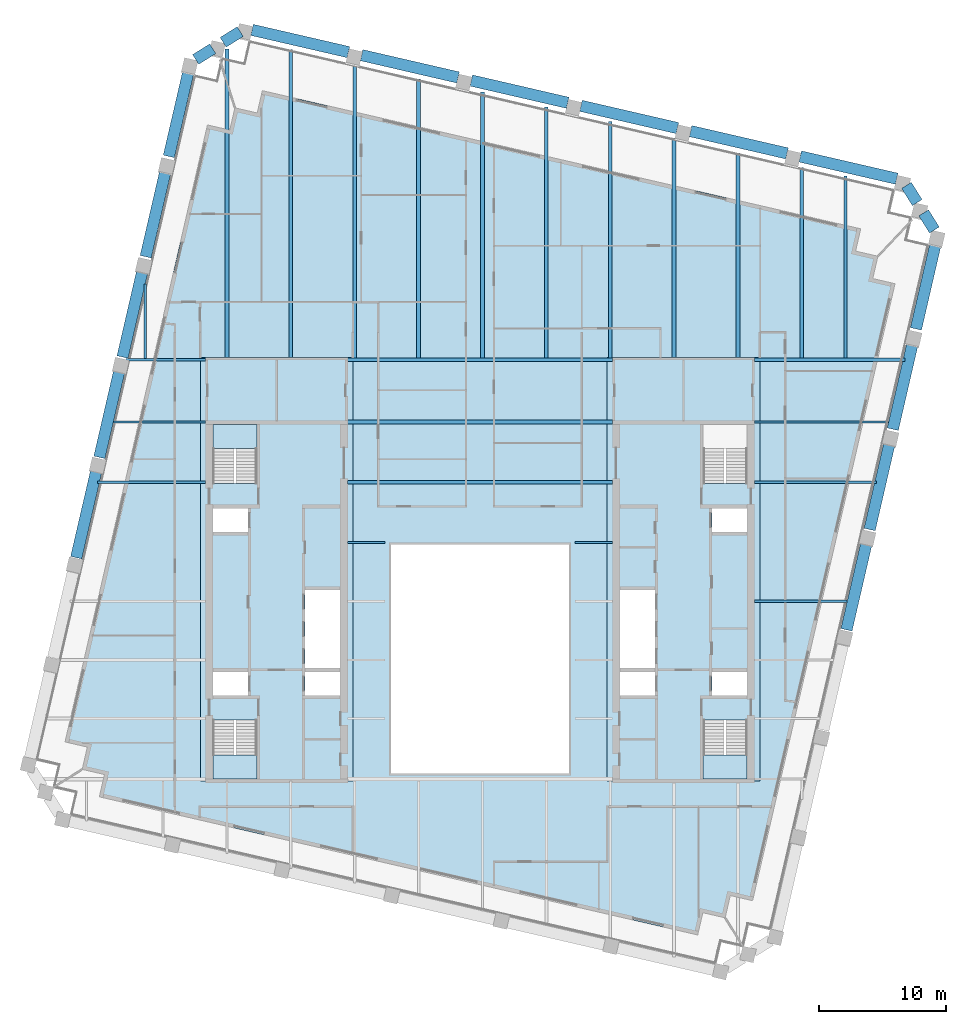
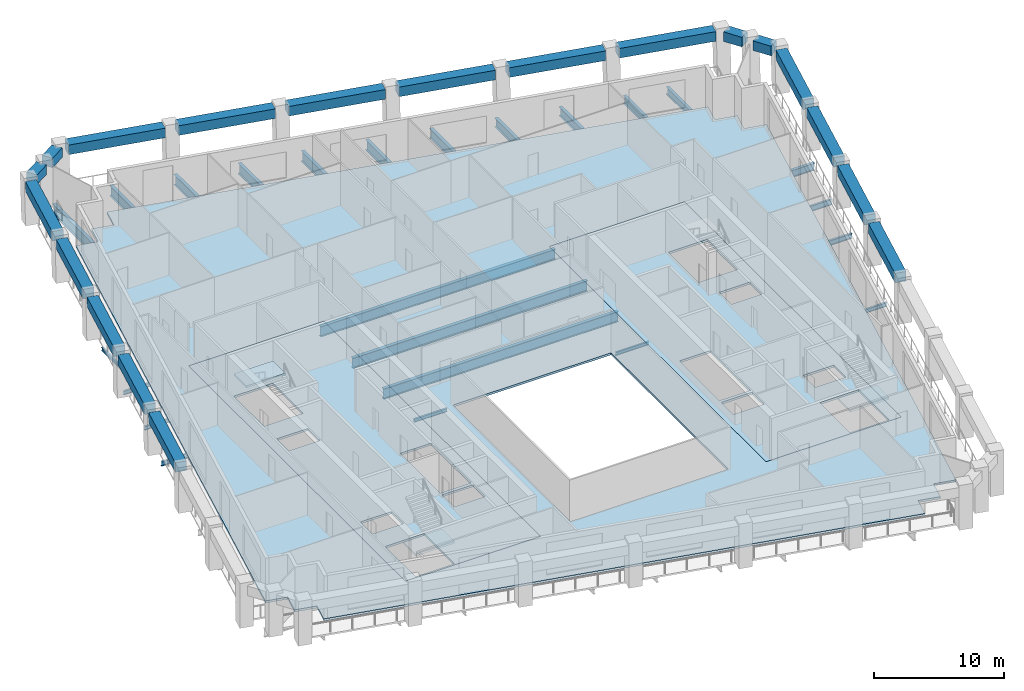
# One storey, part 2 of 10: 43 beams, 6 slabs, 3 elements without a shape of their own.
"""IFC4 building model written with IfcOpenShell, lengths in metres."""

from ifc_helpers import new_model, si_unit, direction, frame, origin, origin_2d, place, context, subcontext, project, spatial, polyline, rectangle, i_section, outline, extrude, material, layer, layer_set, material_profile, profile_set, type_object, element, aggregate, save


model = new_model("IFC4")

# Units and contexts
model_context = context("Model", 3, precision=1e-05, world=origin(), true_north=direction((0.0, 1.0)))
body_context = subcontext(model_context, "Body", "Model", "MODEL_VIEW")
ifc_project = project(units=[si_unit("LENGTHUNIT", "METRE"), si_unit("AREAUNIT", "SQUARE_METRE"), si_unit("VOLUMEUNIT", "CUBIC_METRE"), si_unit("PLANEANGLEUNIT", "RADIAN"), si_unit("MASSUNIT", "GRAM", prefix="KILO")], contexts=[model_context])

# Site, building, storey
site_placement = place(None, origin())
site = spatial("IfcSite", under=ifc_project, at=site_placement, CompositionType="ELEMENT")
building_placement = place(site_placement, origin())
building = spatial("IfcBuilding", under=site, at=building_placement, Name="Ogive Exchange Tower", CompositionType="ELEMENT")
storey_placement = place(building_placement, frame((0.0, 0.0, 255.60009765625)))
storey = spatial("IfcBuildingStorey", under=building, at=storey_placement, Name="L55", CompositionType="ELEMENT", Elevation=255.60009765625)

# Beams
ifc_material_1 = material(Name="Steel ASTM A992 Gr50", Category="steel")
ifc_material_profile_1 = material_profile(ifc_material_1, i_section(OverallWidth=0.300048828125, OverallDepth=0.969970703125, WebThickness=0.01611328125, FlangeThickness=0.02099609375, at=origin_2d()), Name="W1000x222")
ifc_profile_set_1 = profile_set([ifc_material_profile_1], Name="Steel ASTM A992 Gr50")
beam_type_1 = type_object("IfcBeamType", Name="Floor beam W1000x222", PredefinedType="JOIST", material=ifc_profile_set_1)
beam_1_placement = place(storey_placement, frame((5.21435546875, 30.695068359375, -0.68505859375), z_axis=(0.0, 1.0, 0.0), x_axis=(-1.0, 0.0, 0.0)))
element("IfcBeam", 1, at=beam_1_placement, inside=storey, type_object=beam_type_1, Name="Floor beam", PredefinedType="JOIST", context=body_context, shape_type="SweptSolid", body=[
    extrude(i_section(OverallWidth=0.300048828125, OverallDepth=0.969970703125, WebThickness=0.01611328125, FlangeThickness=0.02099609375, at=origin_2d()), origin(), (0.0, 0.0, 1.0), 19.737548828125),
])
ifc_material_profile_2 = material_profile(ifc_material_1, i_section(OverallWidth=0.300048828125, OverallDepth=0.97998046875, WebThickness=0.0166015625, FlangeThickness=0.026123046875, at=origin_2d()), Name="W1000x249")
ifc_profile_set_2 = profile_set([ifc_material_profile_2], Name="Steel ASTM A992 Gr50")
beam_type_2 = type_object("IfcBeamType", Name="Floor beam W1000x249", PredefinedType="JOIST", material=ifc_profile_set_2)
for number, where, z_axis, x_axis, name in (
    (2, (-10.419921875, 20.89990234375, -0.690185546875), (1.0, 0.0, 0.0), (0.0, 1.0, 0.0), "Floor beam"),
    (3, (-10.419921875, 25.64501953125, -0.690185546875), (1.0, 0.0, 0.0), (0.0, 1.0, 0.0), "Floor beam"),
):
    element("IfcBeam", number, at=place(storey_placement, frame(where, z_axis=z_axis, x_axis=x_axis)), inside=storey, type_object=beam_type_2, Name=name, PredefinedType="JOIST", context=body_context, shape_type="SweptSolid", body=[
        extrude(i_section(OverallWidth=0.300048828125, OverallDepth=0.97998046875, WebThickness=0.0166015625, FlangeThickness=0.026123046875, at=origin_2d()), origin(), (0.0, 0.0, 1.0), 20.83984375),
    ])
beam_2_placement = place(storey_placement, frame((-19.90625, 30.699951171875, -0.690185546875), z_axis=(0.0, 1.0, 0.0), x_axis=(-1.0, 0.0, 0.0)))
element("IfcBeam", 4, at=beam_2_placement, inside=storey, type_object=beam_type_2, Name="Floor beam", PredefinedType="JOIST", context=body_context, shape_type="SweptSolid", body=[
    extrude(i_section(OverallWidth=0.300048828125, OverallDepth=0.97998046875, WebThickness=0.0166015625, FlangeThickness=0.026123046875, at=origin_2d()), origin(), (0.0, 0.0, 1.0), 24.29248046875),
])
beam_3_placement = place(storey_placement, frame((-14.882080078125, 30.699951171875, -0.690185546875), z_axis=(0.0, 1.0, 0.0), x_axis=(-1.0, 0.0, 0.0)))
element("IfcBeam", 5, at=beam_3_placement, inside=storey, type_object=beam_type_2, Name="Floor beam", PredefinedType="JOIST", context=body_context, shape_type="SweptSolid", body=[
    extrude(i_section(OverallWidth=0.300048828125, OverallDepth=0.97998046875, WebThickness=0.0166015625, FlangeThickness=0.026123046875, at=origin_2d()), origin(), (0.0, 0.0, 1.0), 24.22216796875),
])
beam_4_placement = place(storey_placement, frame((-9.858154296875, 30.695068359375, -0.690185546875), z_axis=(0.0, 1.0, 0.0), x_axis=(-1.0, 0.0, 0.0)))
element("IfcBeam", 6, at=beam_4_placement, inside=storey, type_object=beam_type_2, Name="Floor beam", PredefinedType="JOIST", context=body_context, shape_type="SweptSolid", body=[
    extrude(i_section(OverallWidth=0.300048828125, OverallDepth=0.97998046875, WebThickness=0.0166015625, FlangeThickness=0.026123046875, at=origin_2d()), origin(), (0.0, 0.0, 1.0), 23.067138671875),
])
beam_5_placement = place(storey_placement, frame((-4.833984375, 30.695068359375, -0.690185546875), z_axis=(0.0, 1.0, 0.0), x_axis=(-1.0, 0.0, 0.0)))
element("IfcBeam", 7, at=beam_5_placement, inside=storey, type_object=beam_type_2, Name="Floor beam", PredefinedType="JOIST", context=body_context, shape_type="SweptSolid", body=[
    extrude(i_section(OverallWidth=0.300048828125, OverallDepth=0.97998046875, WebThickness=0.0166015625, FlangeThickness=0.026123046875, at=origin_2d()), origin(), (0.0, 0.0, 1.0), 21.9072265625),
])
beam_6_placement = place(storey_placement, frame((0.190185546875, 30.695068359375, -0.690185546875), z_axis=(0.0, 1.0, 0.0), x_axis=(-1.0, 0.0, 0.0)))
element("IfcBeam", 8, at=beam_6_placement, inside=storey, type_object=beam_type_2, Name="Floor beam", PredefinedType="JOIST", context=body_context, shape_type="SweptSolid", body=[
    extrude(i_section(OverallWidth=0.300048828125, OverallDepth=0.97998046875, WebThickness=0.0166015625, FlangeThickness=0.026123046875, at=origin_2d()), origin(), (0.0, 0.0, 1.0), 20.897216796875),
])
ifc_material_profile_3 = material_profile(ifc_material_1, i_section(OverallWidth=0.1650390625, OverallDepth=0.31005859375, WebThickness=0.005859375, FlangeThickness=0.009765625, at=origin_2d()), Name="W310x38.7")
ifc_profile_set_3 = profile_set([ifc_material_profile_3], Name="Steel ASTM A992 Gr50")
beam_type_3 = type_object("IfcBeamType", Name="Floor beam W310x38.7", PredefinedType="JOIST", material=ifc_profile_set_3)
beam_7_placement = place(storey_placement, frame((-26.33056640625, 30.630615234375, -0.35498046875), z_axis=(0.0, 1.0, 0.0), x_axis=(-1.0, 0.0, 0.0)))
element("IfcBeam", 9, at=beam_7_placement, inside=storey, type_object=beam_type_3, Name="Floor beam", PredefinedType="JOIST", context=body_context, shape_type="SweptSolid", body=[
    extrude(i_section(OverallWidth=0.1650390625, OverallDepth=0.31005859375, WebThickness=0.005859375, FlangeThickness=0.009765625, at=origin_2d()), origin(), (0.0, 0.0, 1.0), 5.84814453125),
])
ifc_material_profile_4 = material_profile(ifc_material_1, i_section(OverallWidth=0.1708984375, OverallDepth=0.35595703125, WebThickness=0.00732421875, FlangeThickness=0.01171875, at=origin_2d()), Name="W360x51")
ifc_profile_set_4 = profile_set([ifc_material_profile_4], Name="Steel ASTM A992 Gr50")
beam_type_4 = type_object("IfcBeamType", Name="Floor beam W360x51", PredefinedType="JOIST", material=ifc_profile_set_4)
beam_8_placement = place(storey_placement, frame((21.580078125, 11.543701171875, -0.378173828125), z_axis=(1.0, 0.0, 0.0), x_axis=(0.0, 1.0, 0.0)))
element("IfcBeam", 10, at=beam_8_placement, inside=storey, type_object=beam_type_4, Name="Floor beam", PredefinedType="JOIST", context=body_context, shape_type="SweptSolid", body=[
    extrude(i_section(OverallWidth=0.1708984375, OverallDepth=0.35595703125, WebThickness=0.00732421875, FlangeThickness=0.01171875, at=origin_2d()), origin(), (0.0, 0.0, 1.0), 7.295166015625),
])
beam_9_placement = place(storey_placement, frame((-28.831787109375, 25.64501953125, -0.378173828125), z_axis=(1.0, 0.0, 0.0), x_axis=(0.0, 1.0, 0.0)))
element("IfcBeam", 11, at=beam_9_placement, inside=storey, type_object=beam_type_4, Name="Floor beam", PredefinedType="JOIST", context=body_context, shape_type="SweptSolid", body=[
    extrude(i_section(OverallWidth=0.1708984375, OverallDepth=0.35595703125, WebThickness=0.00732421875, FlangeThickness=0.01171875, at=origin_2d()), origin(), (0.0, 0.0, 1.0), 7.251708984375),
])
ifc_material_profile_5 = material_profile(ifc_material_1, i_section(OverallWidth=0.177978515625, OverallDepth=0.406005859375, WebThickness=0.0078125, FlangeThickness=0.0126953125, at=origin_2d()), Name="W410x60")
ifc_profile_set_5 = profile_set([ifc_material_profile_5], Name="Steel ASTM A992 Gr50")
beam_type_5 = type_object("IfcBeamType", Name="Floor beam W410x60", PredefinedType="JOIST", material=ifc_profile_set_5)
beam_10_placement = place(storey_placement, frame((-30.0771484375, 20.89990234375, -0.403076171875), z_axis=(1.0, 0.0, 0.0), x_axis=(0.0, 1.0, 0.0)))
element("IfcBeam", 12, at=beam_10_placement, inside=storey, type_object=beam_type_5, Name="Floor beam", PredefinedType="JOIST", context=body_context, shape_type="SweptSolid", body=[
    extrude(i_section(OverallWidth=0.177978515625, OverallDepth=0.406005859375, WebThickness=0.0078125, FlangeThickness=0.0126953125, at=origin_2d()), origin(), (0.0, 0.0, 1.0), 8.4970703125),
])
ifc_material_profile_6 = material_profile(ifc_material_1, i_section(OverallWidth=0.19189453125, OverallDepth=0.4619140625, WebThickness=0.010498046875, FlangeThickness=0.017578125, at=origin_2d()), Name="W460x89")
ifc_profile_set_6 = profile_set([ifc_material_profile_6], Name="Steel ASTM A992 Gr50")
beam_type_6 = type_object("IfcBeamType", Name="Floor beam W460x89", PredefinedType="JOIST", material=ifc_profile_set_6)
beam_11_placement = place(storey_placement, frame((21.580078125, 20.89990234375, -0.43115234375), z_axis=(1.0, 0.0, 0.0), x_axis=(0.0, 1.0, 0.0)))
element("IfcBeam", 13, at=beam_11_placement, inside=storey, type_object=beam_type_6, Name="Floor beam", PredefinedType="JOIST", context=body_context, shape_type="SweptSolid", body=[
    extrude(i_section(OverallWidth=0.19189453125, OverallDepth=0.4619140625, WebThickness=0.010498046875, FlangeThickness=0.017578125, at=origin_2d()), origin(), (0.0, 0.0, 1.0), 9.605224609375),
])
ifc_material_profile_7 = material_profile(ifc_material_1, i_section(OverallWidth=0.1669921875, OverallDepth=0.535888671875, WebThickness=0.01025390625, FlangeThickness=0.0166015625, at=origin_2d()), Name="W530x85")
ifc_profile_set_7 = profile_set([ifc_material_profile_7], Name="Steel ASTM A992 Gr50")
beam_type_7 = type_object("IfcBeamType", Name="Floor beam W530x85", PredefinedType="JOIST", material=ifc_profile_set_7)
beam_12_placement = place(storey_placement, frame((21.580078125, 25.64501953125, -0.468017578125), z_axis=(1.0, 0.0, 0.0), x_axis=(0.0, 1.0, 0.0)))
element("IfcBeam", 14, at=beam_12_placement, inside=storey, type_object=beam_type_7, Name="Floor beam", PredefinedType="JOIST", context=body_context, shape_type="SweptSolid", body=[
    extrude(i_section(OverallWidth=0.1669921875, OverallDepth=0.535888671875, WebThickness=0.01025390625, FlangeThickness=0.0166015625, at=origin_2d()), origin(), (0.0, 0.0, 1.0), 10.55078125),
])
ifc_material_profile_8 = material_profile(ifc_material_1, i_section(OverallWidth=0.25390625, OverallDepth=0.68310546875, WebThickness=0.012451171875, FlangeThickness=0.018798828125, at=origin_2d()), Name="W690x140")
ifc_profile_set_8 = profile_set([ifc_material_profile_8], Name="Steel ASTM A992 Gr50")
beam_type_8 = type_object("IfcBeamType", Name="Floor beam W690x140", PredefinedType="JOIST", material=ifc_profile_set_8)
beam_13_placement = place(storey_placement, frame((28.735107421875, 30.672119140625, -0.54150390625), z_axis=(0.0, 1.0, 0.0), x_axis=(-1.0, 0.0, 0.0)))
element("IfcBeam", 15, at=beam_13_placement, inside=storey, type_object=beam_type_8, Name="Floor beam", PredefinedType="JOIST", context=body_context, shape_type="SweptSolid", body=[
    extrude(i_section(OverallWidth=0.25390625, OverallDepth=0.68310546875, WebThickness=0.012451171875, FlangeThickness=0.018798828125, at=origin_2d()), origin(), (0.0, 0.0, 1.0), 14.330078125),
])
ifc_material_profile_9 = material_profile(ifc_material_1, i_section(OverallWidth=0.26708984375, OverallDepth=0.75390625, WebThickness=0.01318359375, FlangeThickness=0.01708984375, at=origin_2d()), Name="W760x147")
ifc_profile_set_9 = profile_set([ifc_material_profile_9], Name="Steel ASTM A992 Gr50")
beam_type_9 = type_object("IfcBeamType", Name="Floor beam W760x147", PredefinedType="JOIST", material=ifc_profile_set_9)
beam_14_placement = place(storey_placement, frame((25.310791015625, 30.672119140625, -0.5771484375), z_axis=(0.0, 1.0, 0.0), x_axis=(-1.0, 0.0, 0.0)))
element("IfcBeam", 16, at=beam_14_placement, inside=storey, type_object=beam_type_9, Name="Floor beam", PredefinedType="JOIST", context=body_context, shape_type="SweptSolid", body=[
    extrude(i_section(OverallWidth=0.26708984375, OverallDepth=0.75390625, WebThickness=0.01318359375, FlangeThickness=0.01708984375, at=origin_2d()), origin(), (0.0, 0.0, 1.0), 14.970703125),
])
ifc_material_profile_10 = material_profile(ifc_material_1, i_section(OverallWidth=0.2919921875, OverallDepth=0.8359375, WebThickness=0.013916015625, FlangeThickness=0.018798828125, at=origin_2d()), Name="W840x176")
ifc_profile_set_10 = profile_set([ifc_material_profile_10], Name="Steel ASTM A992 Gr50")
beam_type_10 = type_object("IfcBeamType", Name="Floor beam W840x176", PredefinedType="JOIST", material=ifc_profile_set_10)
beam_15_placement = place(storey_placement, frame((15.2626953125, 30.699951171875, -0.6181640625), z_axis=(0.0, 1.0, 0.0), x_axis=(-1.0, 0.0, 0.0)))
element("IfcBeam", 17, at=beam_15_placement, inside=storey, type_object=beam_type_10, Name="Floor beam", PredefinedType="JOIST", context=body_context, shape_type="SweptSolid", body=[
    extrude(i_section(OverallWidth=0.2919921875, OverallDepth=0.8359375, WebThickness=0.013916015625, FlangeThickness=0.018798828125, at=origin_2d()), origin(), (0.0, 0.0, 1.0), 17.2626953125),
])
beam_16_placement = place(storey_placement, frame((20.28662109375, 30.699951171875, -0.6181640625), z_axis=(0.0, 1.0, 0.0), x_axis=(-1.0, 0.0, 0.0)))
element("IfcBeam", 18, at=beam_16_placement, inside=storey, type_object=beam_type_10, Name="Floor beam", PredefinedType="JOIST", context=body_context, shape_type="SweptSolid", body=[
    extrude(i_section(OverallWidth=0.2919921875, OverallDepth=0.8359375, WebThickness=0.013916015625, FlangeThickness=0.018798828125, at=origin_2d()), origin(), (0.0, 0.0, 1.0), 16.102783203125),
])
ifc_material_profile_11 = material_profile(ifc_material_1, i_section(OverallWidth=0.304931640625, OverallDepth=0.904052734375, WebThickness=0.01513671875, FlangeThickness=0.02001953125, at=origin_2d()), Name="W920x201")
ifc_profile_set_11 = profile_set([ifc_material_profile_11], Name="Steel ASTM A992 Gr50")
beam_type_11 = type_object("IfcBeamType", Name="Floor beam W920x201", PredefinedType="JOIST", material=ifc_profile_set_11)
beam_17_placement = place(storey_placement, frame((10.23828125, 30.695068359375, -0.652099609375), z_axis=(0.0, 1.0, 0.0), x_axis=(-1.0, 0.0, 0.0)))
element("IfcBeam", 19, at=beam_17_placement, inside=storey, type_object=beam_type_11, Name="Floor beam", PredefinedType="JOIST", context=body_context, shape_type="SweptSolid", body=[
    extrude(i_section(OverallWidth=0.304931640625, OverallDepth=0.904052734375, WebThickness=0.01513671875, FlangeThickness=0.02001953125, at=origin_2d()), origin(), (0.0, 0.0, 1.0), 18.57763671875),
])
ifc_material_profile_12 = material_profile(ifc_material_1, i_section(OverallWidth=0.300048828125, OverallDepth=0.97998046875, WebThickness=0.0166015625, FlangeThickness=0.026123046875, at=origin_2d()), Name="W1000x249")
ifc_profile_set_12 = profile_set([ifc_material_profile_12], Name="Steel ASTM A992 Gr50")
beam_type_12 = type_object("IfcBeamType", Name="Girder W1000x249", PredefinedType="BEAM", material=ifc_profile_set_12)
beam_18_placement = place(storey_placement, frame((-10.419921875, 30.544921875, -0.690185546875), z_axis=(1.0, 0.0, 0.0), x_axis=(0.0, 1.0, 0.0)))
element("IfcBeam", 20, at=beam_18_placement, inside=storey, type_object=beam_type_12, Name="Header girder", PredefinedType="BEAM", context=body_context, shape_type="SweptSolid", body=[
    extrude(i_section(OverallWidth=0.300048828125, OverallDepth=0.97998046875, WebThickness=0.0166015625, FlangeThickness=0.026123046875, at=origin_2d()), origin(), (0.0, 0.0, 1.0), 20.83984375),
])
ifc_material_profile_13 = material_profile(ifc_material_1, i_section(OverallWidth=0.1650390625, OverallDepth=0.31005859375, WebThickness=0.005859375, FlangeThickness=0.009765625, at=origin_2d()), Name="W310x38.7")
ifc_profile_set_13 = profile_set([ifc_material_profile_13], Name="Steel ASTM A992 Gr50")
beam_type_13 = type_object("IfcBeamType", Name="Girder W310x38.7", PredefinedType="BEAM", material=ifc_profile_set_13)
for number, where, z_axis, x_axis, name in (
    (21, (-10.419921875, 16.155029296875, -0.35498046875), (1.0, 0.0, 0.0), (0.0, 1.0, 0.0), "Trimmer girder"),
    (22, (7.469970703125, 16.155029296875, -0.35498046875), (1.0, 0.0, 0.0), (0.0, 1.0, 0.0), "Trimmer girder"),
):
    element("IfcBeam", number, at=place(storey_placement, frame(where, z_axis=z_axis, x_axis=x_axis)), inside=storey, type_object=beam_type_13, Name=name, PredefinedType="BEAM", context=body_context, shape_type="SweptSolid", body=[
        extrude(i_section(OverallWidth=0.1650390625, OverallDepth=0.31005859375, WebThickness=0.005859375, FlangeThickness=0.009765625, at=origin_2d()), origin(), (0.0, 0.0, 1.0), 2.949951171875),
    ])
ifc_material_profile_14 = material_profile(ifc_material_1, i_section(OverallWidth=0.1708984375, OverallDepth=0.35595703125, WebThickness=0.00732421875, FlangeThickness=0.01171875, at=origin_2d()), Name="W360x51")
ifc_profile_set_14 = profile_set([ifc_material_profile_14], Name="Steel ASTM A992 Gr50")
beam_type_14 = type_object("IfcBeamType", Name="Girder W360x51", PredefinedType="BEAM", material=ifc_profile_set_14)
beam_19_placement = place(storey_placement, frame((-27.850341796875, 30.544921875, -0.378173828125), z_axis=(1.0, 0.0, 0.0), x_axis=(0.0, 1.0, 0.0)))
element("IfcBeam", 23, at=beam_19_placement, inside=storey, type_object=beam_type_14, Name="Header girder", PredefinedType="BEAM", context=body_context, shape_type="SweptSolid", body=[
    extrude(i_section(OverallWidth=0.1708984375, OverallDepth=0.35595703125, WebThickness=0.00732421875, FlangeThickness=0.01171875, at=origin_2d()), origin(), (0.0, 0.0, 1.0), 6.270263671875),
])
ifc_material_profile_15 = material_profile(ifc_material_1, i_section(OverallWidth=0.25390625, OverallDepth=0.677978515625, WebThickness=0.01171875, FlangeThickness=0.016357421875, at=origin_2d()), Name="W690x125")
ifc_profile_set_15 = profile_set([ifc_material_profile_15], Name="Steel ASTM A992 Gr50")
beam_type_15 = type_object("IfcBeamType", Name="Girder W690x125", PredefinedType="BEAM", material=ifc_profile_set_15)
beam_20_placement = place(storey_placement, frame((21.580078125, 30.544921875, -0.5390625), z_axis=(1.0, 0.0, 0.0), x_axis=(0.0, 1.0, 0.0)))
element("IfcBeam", 24, at=beam_20_placement, inside=storey, type_object=beam_type_15, Name="Header girder", PredefinedType="BEAM", context=body_context, shape_type="SweptSolid", body=[
    extrude(i_section(OverallWidth=0.25390625, OverallDepth=0.677978515625, WebThickness=0.01171875, FlangeThickness=0.016357421875, at=origin_2d()), origin(), (0.0, 0.0, 1.0), 11.83203125),
])
ifc_material_2 = material(Name="Precast concrete C70/85 (limestone faced)", Category="masonry")
ifc_material_profile_16 = material_profile(ifc_material_2, rectangle(XDim=0.89990234375, YDim=0.89990234375, at=origin_2d()), Name="900 x 900")
ifc_profile_set_16 = profile_set([ifc_material_profile_16], Name="Precast concrete C70/85 (limestone faced)")
beam_type_16 = type_object("IfcBeamType", Name="Precast spandrel 900 x 900 C70/85", PredefinedType="SPANDREL", material=ifc_profile_set_16)
beam_21_placement = place(storey_placement, frame((28.819091796875, 9.299560546875, 3.5), z_axis=(0.224943130461, 0.974371894124, 0.0), x_axis=(-0.974371894124, 0.224943130461, 0.0)))
element("IfcBeam", 25, at=beam_21_placement, inside=storey, type_object=beam_type_16, Name="Spandrel 12", PredefinedType="SPANDREL", context=body_context, shape_type="SweptSolid", body=[
    extrude(rectangle(XDim=0.89990234375, YDim=0.89990234375, at=origin_2d()), origin(), (0.0, 0.0, 1.0), 7.036376953125),
])
for number, where, z_axis, x_axis, name in (
    (26, (30.64013671875, 17.188232421875, 3.5), (0.224950735623, 0.974370138368, 0.0), (-0.974370138368, 0.224950735623, 0.0), "Spandrel 13"),
    (27, (32.46142578125, 25.076904296875, 3.5), (0.224950735623, 0.974370138368, 0.0), (-0.974370138368, 0.224950735623, 0.0), "Spandrel 14"),
):
    element("IfcBeam", number, at=place(storey_placement, frame(where, z_axis=z_axis, x_axis=x_axis)), inside=storey, type_object=beam_type_16, Name=name, PredefinedType="SPANDREL", context=body_context, shape_type="SweptSolid", body=[
        extrude(rectangle(XDim=0.89990234375, YDim=0.89990234375, at=origin_2d()), origin(), (0.0, 0.0, 1.0), 7.0361328125),
    ])
beam_22_placement = place(storey_placement, frame((34.28271484375, 32.96533203125, 3.5), z_axis=(0.224943130461, 0.974371894124, 0.0), x_axis=(-0.974371894124, 0.224943130461, 0.0)))
element("IfcBeam", 28, at=beam_22_placement, inside=storey, type_object=beam_type_16, Name="Spandrel 15", PredefinedType="SPANDREL", context=body_context, shape_type="SweptSolid", body=[
    extrude(rectangle(XDim=0.89990234375, YDim=0.89990234375, at=origin_2d()), origin(), (0.0, 0.0, 1.0), 7.036376953125),
])
for number, where, z_axis, x_axis, name in (
    (29, (35.7314453125, 40.742919921875, 3.5), (-0.529902320601, 0.848058683477, 0.0), (-0.848058683477, -0.529902320601, 0.0), "Spandrel 16"),
    (30, (34.382568359375, 42.901611328125, 3.5), (-0.529902320601, 0.848058683477, 0.0), (-0.848058683477, -0.529902320601, 0.0), "Spandrel 17"),
):
    element("IfcBeam", number, at=place(storey_placement, frame(where, z_axis=z_axis, x_axis=x_axis)), inside=storey, type_object=beam_type_16, Name=name, PredefinedType="SPANDREL", context=body_context, shape_type="SweptSolid", body=[
        extrude(rectangle(XDim=0.89990234375, YDim=0.89990234375, at=origin_2d()), origin(), (0.0, 0.0, 1.0), 1.590087890625),
    ])
beam_23_placement = place(storey_placement, frame((32.7705078125, 44.7744140625, 3.5), z_axis=(-0.974369535382, 0.224953347431, 0.0), x_axis=(-0.224953347431, -0.974369535382, 0.0)))
element("IfcBeam", 31, at=beam_23_placement, inside=storey, type_object=beam_type_16, Name="Spandrel 18", PredefinedType="SPANDREL", context=body_context, shape_type="SweptSolid", body=[
    extrude(rectangle(XDim=0.89990234375, YDim=0.89990234375, at=origin_2d()), origin(), (0.0, 0.0, 1.0), 7.790283203125),
])
for number, where, z_axis, x_axis, name in (
    (32, (24.147216796875, 46.76513671875, 3.5), (-0.974367949416, 0.224960216819, 0.0), (-0.224960216819, -0.974367949416, 0.0), "Spandrel 19"),
    (33, (15.52392578125, 48.756103515625, 3.5), (-0.974374818602, 0.224930462307, 0.0), (-0.224930462307, -0.974374818602, 0.0), "Spandrel 20"),
    (34, (6.90087890625, 50.746826171875, 3.5), (-0.974367949416, 0.224960216819, 0.0), (-0.224960216819, -0.974367949416, 0.0), "Spandrel 21"),
    (35, (-1.722412109375, 52.73779296875, 3.5), (-0.974374818602, 0.224930462307, 0.0), (-0.224930462307, -0.974374818602, 0.0), "Spandrel 22"),
    (36, (-10.345458984375, 54.728515625, 3.5), (-0.974367949416, 0.224960216819, 0.0), (-0.224960216819, -0.974367949416, 0.0), "Spandrel 23"),
):
    element("IfcBeam", number, at=place(storey_placement, frame(where, z_axis=z_axis, x_axis=x_axis)), inside=storey, type_object=beam_type_16, Name=name, PredefinedType="SPANDREL", context=body_context, shape_type="SweptSolid", body=[
        extrude(rectangle(XDim=0.89990234375, YDim=0.89990234375, at=origin_2d()), origin(), (0.0, 0.0, 1.0), 7.7900390625),
    ])
beam_24_placement = place(storey_placement, frame((-18.857421875, 56.346923828125, 3.5), z_axis=(-0.848058683477, -0.529902320601, 0.0), x_axis=(0.529902320601, -0.848058683477, 0.0)))
element("IfcBeam", 37, at=beam_24_placement, inside=storey, type_object=beam_type_16, Name="Spandrel 24", PredefinedType="SPANDREL", context=body_context, shape_type="SweptSolid", body=[
    extrude(rectangle(XDim=0.89990234375, YDim=0.89990234375, at=origin_2d()), origin(), (0.0, 0.0, 1.0), 1.590087890625),
])
beam_25_placement = place(storey_placement, frame((-21.016357421875, 54.997802734375, 3.5), z_axis=(-0.848084575276, -0.529860880967, 0.0), x_axis=(0.529860880967, -0.848084575276, 0.0)))
element("IfcBeam", 38, at=beam_25_placement, inside=storey, type_object=beam_type_16, Name="Spandrel 25", PredefinedType="SPANDREL", context=body_context, shape_type="SweptSolid", body=[
    extrude(rectangle(XDim=0.89990234375, YDim=0.89990234375, at=origin_2d()), origin(), (0.0, 0.0, 1.0), 1.589599609375),
])
beam_26_placement = place(storey_placement, frame((-22.88916015625, 53.3857421875, 3.5), z_axis=(-0.224917792527, -0.974377743283, 0.0), x_axis=(0.974377743283, -0.224917792527, 0.0)))
element("IfcBeam", 39, at=beam_26_placement, inside=storey, type_object=beam_type_16, Name="Spandrel 26", PredefinedType="SPANDREL", context=body_context, shape_type="SweptSolid", body=[
    extrude(rectangle(XDim=0.89990234375, YDim=0.89990234375, at=origin_2d()), origin(), (0.0, 0.0, 1.0), 7.035888671875),
])
for number, where, z_axis, x_axis, name in (
    (40, (-24.710205078125, 45.497314453125, 3.5), (-0.224976071791, -0.974364288714, 0.0), (0.974364288714, -0.224976071791, 0.0), "Spandrel 27"),
    (41, (-26.531494140625, 37.608642578125, 3.5), (-0.224943130461, -0.974371894124, 0.0), (0.974371894124, -0.224943130461, 0.0), "Spandrel 28"),
):
    element("IfcBeam", number, at=place(storey_placement, frame(where, z_axis=z_axis, x_axis=x_axis)), inside=storey, type_object=beam_type_16, Name=name, PredefinedType="SPANDREL", context=body_context, shape_type="SweptSolid", body=[
        extrude(rectangle(XDim=0.89990234375, YDim=0.89990234375, at=origin_2d()), origin(), (0.0, 0.0, 1.0), 7.036376953125),
    ])
beam_27_placement = place(storey_placement, frame((-28.352783203125, 29.719970703125, 3.5), z_axis=(-0.224950735623, -0.974370138368, 0.0), x_axis=(0.974370138368, -0.224950735623, 0.0)))
element("IfcBeam", 42, at=beam_27_placement, inside=storey, type_object=beam_type_16, Name="Spandrel 29", PredefinedType="SPANDREL", context=body_context, shape_type="SweptSolid", body=[
    extrude(rectangle(XDim=0.89990234375, YDim=0.89990234375, at=origin_2d()), origin(), (0.0, 0.0, 1.0), 7.0361328125),
])
beam_28_placement = place(storey_placement, frame((-30.174072265625, 21.831298828125, 3.5), z_axis=(-0.224917792527, -0.974377743283, 0.0), x_axis=(0.974377743283, -0.224917792527, 0.0)))
element("IfcBeam", 43, at=beam_28_placement, inside=storey, type_object=beam_type_16, Name="Spandrel 30", PredefinedType="SPANDREL", context=body_context, shape_type="SweptSolid", body=[
    extrude(rectangle(XDim=0.89990234375, YDim=0.89990234375, at=origin_2d()), origin(), (0.0, 0.0, 1.0), 7.035888671875),
])

# Slabs
ifc_material_3 = material(Name="Concrete C50/60", Category="concrete")
ifc_layer_1 = layer(ifc_material_3, 0.199951171875)
ifc_layer_set_1 = layer_set([ifc_layer_1], Name="Composite floor slab 200")
slab_type_1 = type_object("IfcSlabType", Name="Composite floor slab 200", PredefinedType="FLOOR", material=ifc_layer_set_1)
slab_1_placement = place(storey_placement, frame((0.0, 0.0, -0.2001953125)))
element("IfcSlab", 44, at=slab_1_placement, inside=storey, type_object=slab_type_1, Name="Composite floor slab", PredefinedType="FLOOR", context=body_context, shape_type="SweptSolid", body=[
    extrude(outline(polyline([(-29.537109375, -2.0830078125), (-31.291015625, -1.67822265625), (-30.88623046875, 0.07568359375), (-32.64013671875, 0.480712890625), (-21.4375, 49.004150390625), (-19.68359375, 48.599365234375), (-19.27880859375, 50.353271484375), (-17.52490234375, 49.9482421875), (-17.119873046875, 51.7021484375), (29.942138671875, 40.8369140625), (29.537109375, 39.0830078125), (31.291015625, 38.67822265625), (30.88623046875, 36.92431640625), (32.64013671875, 36.519287109375), (21.4375, -12.004150390625), (19.68359375, -11.599365234375), (19.27880859375, -13.353271484375), (17.52490234375, -12.9482421875), (17.119873046875, -14.7021484375), (-29.942138671875, -3.8369140625), (-29.537109375, -2.0830078125)]), holes=[polyline([(7.0, -2.0), (7.0, 16.0), (-7.0, 16.0), (-7.0, -2.0), (7.0, -2.0)]), polyline([(-22.0, -2.60009765625), (-10.0, -2.60009765625), (-10.0, 30.699951171875), (-22.0, 30.699951171875), (-22.0, -2.60009765625)]), polyline([(10.0, -2.60009765625), (22.0, -2.60009765625), (22.0, 30.699951171875), (10.0, 30.699951171875), (10.0, -2.60009765625)])]), origin(), (0.0, 0.0, 1.0), 0.2001953125),
])
ifc_material_4 = material(Name="Concrete C70/85", Category="concrete")
ifc_layer_2 = layer(ifc_material_4, 0.199951171875)
ifc_layer_set_2 = layer_set([ifc_layer_2], Name="Core floor slab 200")
slab_type_2 = type_object("IfcSlabType", Name="Core floor slab 200", PredefinedType="FLOOR", material=ifc_layer_set_2)
slab_2_placement = place(storey_placement, frame((0.0, 0.0, -0.2001953125)))
element("IfcSlab", 45, at=slab_2_placement, inside=storey, type_object=slab_type_2, Name="Core floor slab", PredefinedType="FLOOR", context=body_context, shape_type="SweptSolid", body=[
    extrude(outline(polyline([(-22.0, -2.60009765625), (-22.0, 30.699951171875), (-10.0, 30.699951171875), (-10.0, -2.60009765625), (-22.0, -2.60009765625)]), holes=[polyline([(-17.550048828125, 2.196044921875), (-21.0, 2.196044921875), (-21.0, -2.449951171875), (-17.550048828125, -2.449951171875), (-17.550048828125, 2.196044921875)]), polyline([(-18.25, 5.992919921875), (-21.0, 5.992919921875), (-21.0, 4.14990234375), (-18.25, 4.14990234375), (-18.25, 5.992919921875)]), polyline([(-11.0, 5.992919921875), (-13.75, 5.992919921875), (-13.75, 4.14990234375), (-11.0, 4.14990234375), (-11.0, 5.992919921875)]), polyline([(-13.75, 12.42138671875), (-13.75, 6.29296875), (-11.0, 6.29296875), (-11.0, 12.42138671875), (-13.75, 12.42138671875)]), polyline([(-18.25, 18.85009765625), (-21.0, 18.85009765625), (-21.0, 17.007080078125), (-18.25, 17.007080078125), (-18.25, 18.85009765625)]), polyline([(-21.0, 25.449951171875), (-21.0, 20.803955078125), (-17.550048828125, 20.803955078125), (-17.550048828125, 25.449951171875), (-21.0, 25.449951171875)])]), origin(), (0.0, 0.0, 1.0), 0.2001953125),
])
slab_3_placement = place(storey_placement, frame((0.0, 0.0, -0.2001953125)))
element("IfcSlab", 46, at=slab_3_placement, inside=storey, type_object=slab_type_2, Name="Core floor slab", PredefinedType="FLOOR", context=body_context, shape_type="SweptSolid", body=[
    extrude(outline(polyline([(10.0, -2.60009765625), (10.0, 30.699951171875), (22.0, 30.699951171875), (22.0, -2.60009765625), (10.0, -2.60009765625)]), holes=[polyline([(21.0, 2.196044921875), (17.550048828125, 2.196044921875), (17.550048828125, -2.449951171875), (21.0, -2.449951171875), (21.0, 2.196044921875)]), polyline([(13.75, 5.992919921875), (11.0, 5.992919921875), (11.0, 4.14990234375), (13.75, 4.14990234375), (13.75, 5.992919921875)]), polyline([(21.0, 5.992919921875), (18.25, 5.992919921875), (18.25, 4.14990234375), (21.0, 4.14990234375), (21.0, 5.992919921875)]), polyline([(11.0, 12.42138671875), (11.0, 6.29296875), (13.75, 6.29296875), (13.75, 12.42138671875), (11.0, 12.42138671875)]), polyline([(21.0, 18.85009765625), (18.25, 18.85009765625), (18.25, 17.007080078125), (21.0, 17.007080078125), (21.0, 18.85009765625)]), polyline([(17.550048828125, 25.449951171875), (17.550048828125, 20.803955078125), (21.0, 20.803955078125), (21.0, 25.449951171875), (17.550048828125, 25.449951171875)])]), origin(), (0.0, 0.0, 1.0), 0.2001953125),
])

# Stair, slab
ifc_material_5 = material(Name="Concrete C40/50", Category="concrete")
stair_type = type_object("IfcStairType", Name="Exit stair 1650 wide", PredefinedType="HALF_TURN_STAIR", material=ifc_material_5)
stair_1_placement = place(storey_placement, origin())
stair_1 = element("IfcStair", 47, at=stair_1_placement, inside=storey, type_object=stair_type, Name="L55 exit stair ST1", PredefinedType="HALF_TURN_STAIR")
ifc_layer_3 = layer(ifc_material_5, 0.199951171875)
ifc_layer_set_3 = layer_set([ifc_layer_3], Name="Stair landing 200 slab")
slab_type_3 = type_object("IfcSlabType", Name="Stair landing 200 slab", PredefinedType="LANDING", material=ifc_layer_set_3)
slab_4_placement = place(storey_placement, frame((0.0, 0.0, 1.89990234375)))
slab_4 = element("IfcSlab", 48, at=slab_4_placement, type_object=slab_type_3, Name="ST1 landing 1", PredefinedType="LANDING", context=body_context, shape_type="SweptSolid", body=[
    extrude(outline(polyline([(-21.0, -0.550048828125), (-21.0, -2.449951171875), (-17.550048828125, -2.449951171875), (-17.550048828125, -0.550048828125), (-21.0, -0.550048828125)])), origin(), (0.0, 0.0, 1.0), 0.199951171875),
])
aggregate(stair_1, [slab_4])

stair_2_placement = place(storey_placement, origin())
stair_2 = element("IfcStair", 49, at=stair_2_placement, inside=storey, type_object=stair_type, Name="L55 exit stair ST2", PredefinedType="HALF_TURN_STAIR")
slab_5_placement = place(storey_placement, frame((0.0, 0.0, 1.89990234375)))
slab_5 = element("IfcSlab", 50, at=slab_5_placement, type_object=slab_type_3, Name="ST2 landing 1", PredefinedType="LANDING", context=body_context, shape_type="SweptSolid", body=[
    extrude(outline(polyline([(-17.550048828125, 23.550048828125), (-17.550048828125, 25.449951171875), (-21.0, 25.449951171875), (-21.0, 23.550048828125), (-17.550048828125, 23.550048828125)])), origin(), (0.0, 0.0, 1.0), 0.199951171875),
])
aggregate(stair_2, [slab_5])

stair_3_placement = place(storey_placement, origin())
stair_3 = element("IfcStair", 51, at=stair_3_placement, inside=storey, type_object=stair_type, Name="L55 exit stair ST3", PredefinedType="HALF_TURN_STAIR")
slab_6_placement = place(storey_placement, frame((0.0, 0.0, 1.89990234375)))
slab_6 = element("IfcSlab", 52, at=slab_6_placement, type_object=slab_type_3, Name="ST3 landing 1", PredefinedType="LANDING", context=body_context, shape_type="SweptSolid", body=[
    extrude(outline(polyline([(17.550048828125, -0.550048828125), (17.550048828125, -2.449951171875), (21.0, -2.449951171875), (21.0, -0.550048828125), (17.550048828125, -0.550048828125)])), origin(), (0.0, 0.0, 1.0), 0.199951171875),
])
aggregate(stair_3, [slab_6])

save(model, "model.ifc")
